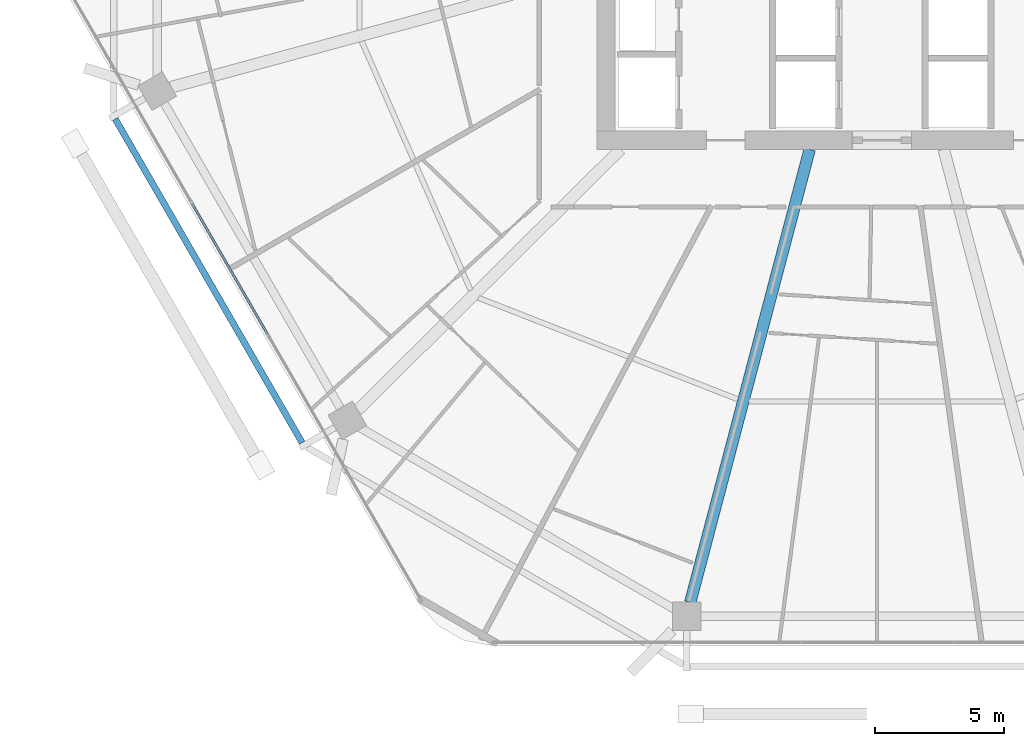
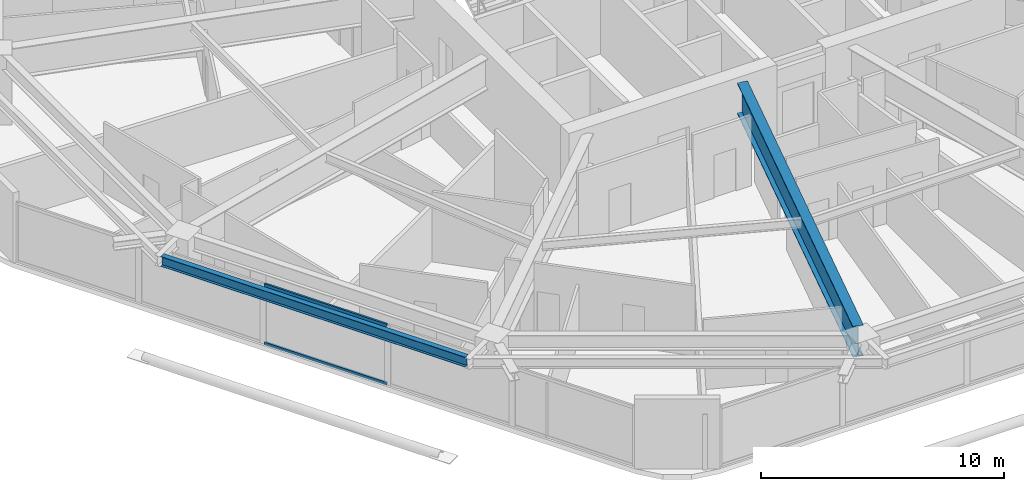
# One storey, part 4 of 33: 2 beams, 2 members, 1 element without a shape of its own.
"""IFC4 building model written with IfcOpenShell, lengths in metres."""

from ifc_helpers import new_model, si_unit, direction, frame, origin, origin_2d, place, context, subcontext, project, spatial, hollow_rectangle, i_section, extrude, material, material_profile, profile_set, type_object, element, aggregate, save


model = new_model("IFC4")

# Units and contexts
model_context = context("Model", 3, precision=1e-05, world=origin(), true_north=direction((0.0, 1.0)))
body_context = subcontext(model_context, "Body", "Model", "MODEL_VIEW")
ifc_project = project(units=[si_unit("LENGTHUNIT", "METRE"), si_unit("AREAUNIT", "SQUARE_METRE"), si_unit("VOLUMEUNIT", "CUBIC_METRE"), si_unit("PLANEANGLEUNIT", "RADIAN"), si_unit("MASSUNIT", "GRAM", prefix="KILO")], contexts=[model_context])

# Site, building, storey
site_placement = place(None, origin())
site = spatial("IfcSite", under=ifc_project, at=site_placement, CompositionType="ELEMENT")
building_placement = place(site_placement, origin())
building = spatial("IfcBuilding", under=site, at=building_placement, Name="Zuhravey Tower", CompositionType="ELEMENT")
storey_placement = place(building_placement, frame((0.0, 0.0, 141.800048828125)))
storey = spatial("IfcBuildingStorey", under=building, at=storey_placement, Name="L35", CompositionType="ELEMENT", Elevation=141.800048828125)

# Curtain wall, members
ifc_material_1 = material(Name="Thermally broken anodised aluminium", Category="aluminium")
curtain_wall_type = type_object("IfcCurtainWallType", Name="Zone 1-2 Residential Curtain Wall CW3", PredefinedType="NOTDEFINED", material=ifc_material_1)
curtain_wall_placement = place(storey_placement, origin())
curtain_wall = element("IfcCurtainWall", 1, at=curtain_wall_placement, inside=storey, type_object=curtain_wall_type, Name="L35 CW3 CW-L35-F4-1", PredefinedType="NOTDEFINED")
ifc_material_2 = material(Name="Anodised aluminium", Category="aluminium")
ifc_material_profile_1 = material_profile(ifc_material_2, hollow_rectangle(XDim=0.090087890625, YDim=0.14990234375, WallThickness=0.0048828125, at=origin_2d()), Name="ALU-RHS-90x150x5")
ifc_profile_set_1 = profile_set([ifc_material_profile_1], Name="Anodised aluminium")
member_type = type_object("IfcMemberType", Name="Curtain-Wall Transom 90x150", PredefinedType="USERDEFINED", material=ifc_profile_set_1)
member_1_placement = place(storey_placement, frame((12.378662109375, 14.996337890625, 0.044921875), z_axis=(-0.499981042766, 0.866036348472, 0.0), x_axis=(-0.866036348472, -0.499981042766, 0.0)))
member_1 = element("IfcMember", 2, at=member_1_placement, type_object=member_type, Name="CW3 transom 3.1", ObjectType="TRANSOM", PredefinedType="USERDEFINED", context=body_context, shape_type="SweptSolid", body=[
    extrude(hollow_rectangle(XDim=0.090087890625, YDim=0.14990234375, WallThickness=0.0048828125, at=origin_2d()), origin(), (0.0, 0.0, 1.0), 5.829833984375),
])
member_2_placement = place(storey_placement, frame((12.378662109375, 14.996337890625, 2.974853515625), z_axis=(-0.499981042766, 0.866036348472, 0.0), x_axis=(-0.866036348472, -0.499981042766, 0.0)))
member_2 = element("IfcMember", 3, at=member_2_placement, type_object=member_type, Name="CW3 transom 3.2", ObjectType="TRANSOM", PredefinedType="USERDEFINED", context=body_context, shape_type="SweptSolid", body=[
    extrude(hollow_rectangle(XDim=0.090087890625, YDim=0.14990234375, WallThickness=0.0048828125, at=origin_2d()), origin(), (0.0, 0.0, 1.0), 5.829833984375),
])
aggregate(curtain_wall, [member_1, member_2])

# Beams
ifc_material_3 = material(Name="Steel SM460", Category="steel")
ifc_material_profile_2 = material_profile(ifc_material_3, i_section(OverallWidth=0.449951171875, OverallDepth=1.550048828125, WebThickness=0.02587890625, FlangeThickness=0.0419921875, at=origin_2d()), Name="H-1550x450x26x42")
ifc_profile_set_2 = profile_set([ifc_material_profile_2], Name="Steel SM460")
beam_type_1 = type_object("IfcBeamType", Name="Heavy Setback Transfer Girder H1550x450", PredefinedType="BEAM", material=ifc_profile_set_2)
beam_1_placement = place(storey_placement, frame((33.40185546875, 22.14697265625, 2.744873046875), z_axis=(-0.25498755891, -0.966944333869, 0.0), x_axis=(0.966944333869, -0.25498755891, 0.0)))
element("IfcBeam", 4, at=beam_1_placement, inside=storey, type_object=beam_type_1, Name="L35 TG3 BM-L35-RAD-09", PredefinedType="BEAM", context=body_context, shape_type="SweptSolid", body=[
    extrude(i_section(OverallWidth=0.449951171875, OverallDepth=1.550048828125, WebThickness=0.02587890625, FlangeThickness=0.0419921875, at=origin_2d()), origin(), (0.0, 0.0, 1.0), 18.1611328125),
])
ifc_material_4 = material(Name="Steel SM355", Category="steel")
ifc_material_profile_3 = material_profile(ifc_material_4, i_section(OverallWidth=0.25, OverallDepth=0.5, WebThickness=0.010009765625, FlangeThickness=0.01611328125, at=origin_2d()), Name="H-500x250x10x16")
ifc_profile_set_3 = profile_set([ifc_material_profile_3], Name="Steel SM355")
beam_type_2 = type_object("IfcBeamType", Name="Tray Cantilever Spandrel H500x250", PredefinedType="SPANDREL", material=ifc_profile_set_3)
beam_2_placement = place(storey_placement, frame((6.483642578125, 23.326904296875, 3.27001953125), z_axis=(0.500001430823, -0.866024577697, 0.0), x_axis=(0.866024577697, 0.500001430823, 0.0)))
element("IfcBeam", 5, at=beam_2_placement, inside=storey, type_object=beam_type_2, Name="L35 Sky-Tray Edge Spandrel TSB1-07", PredefinedType="SPANDREL", context=body_context, shape_type="SweptSolid", body=[
    extrude(i_section(OverallWidth=0.25, OverallDepth=0.5, WebThickness=0.010009765625, FlangeThickness=0.01611328125, at=origin_2d()), origin(), (0.0, 0.0, 1.0), 14.494140625),
])

save(model, "model.ifc")
